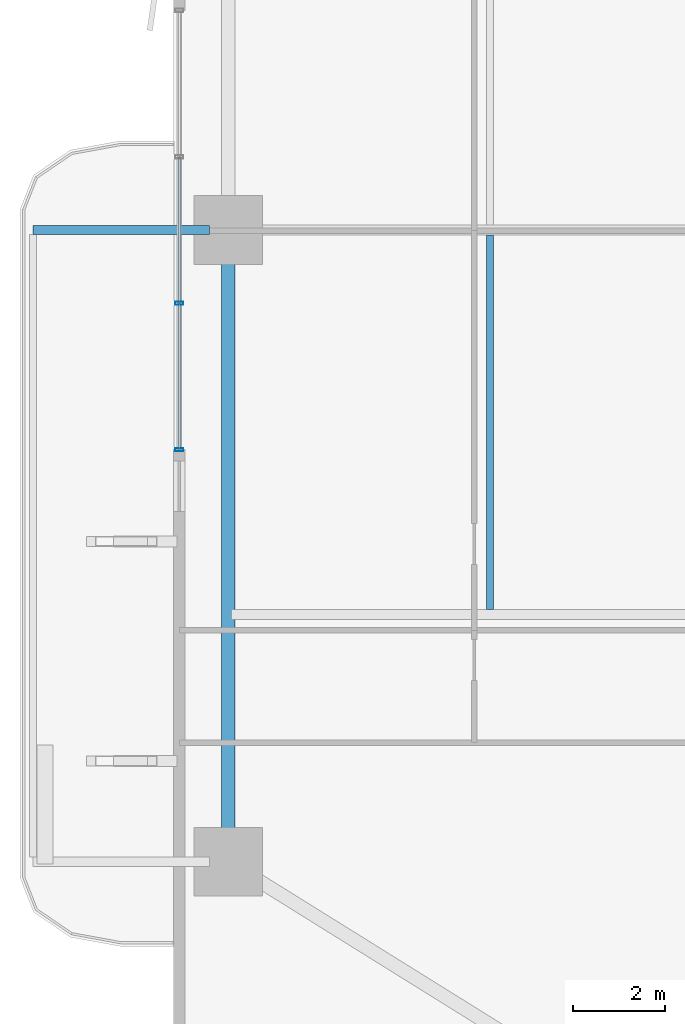
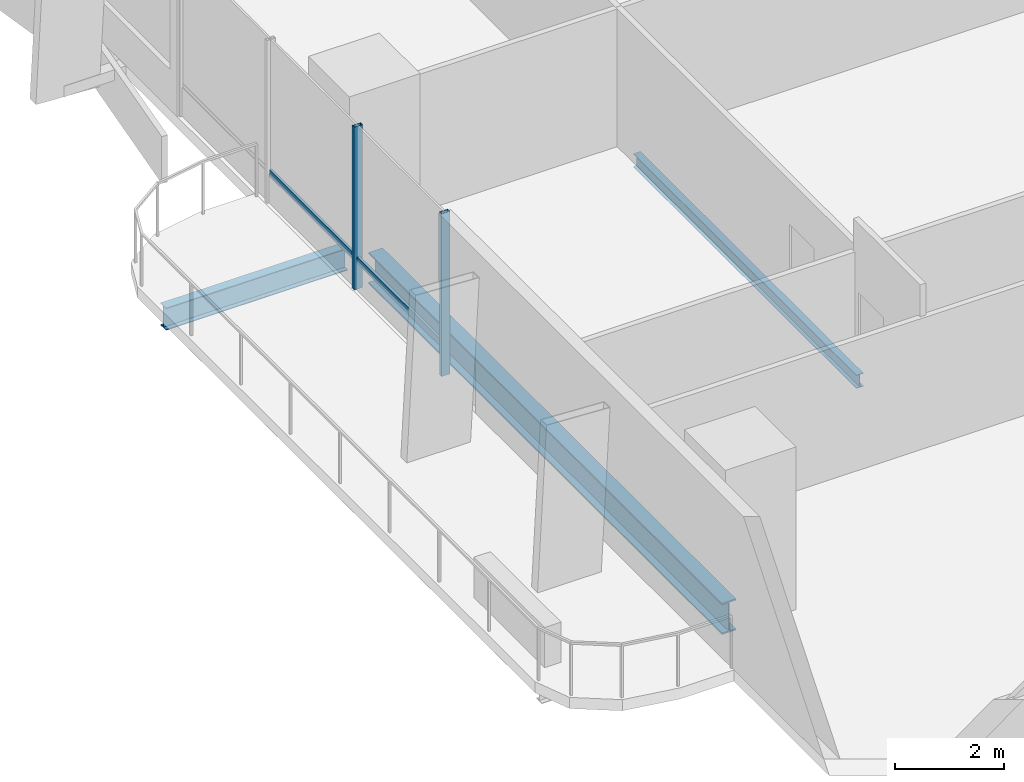
# One storey, part 4 of 24: 4 members, 3 beams, 1 element without a shape of its own.
"""IFC4 building model written with IfcOpenShell, lengths in metres."""

import ifcopenshell
import ifcopenshell.guid

model = None  # the IFC model being written
_history = None  # IfcOwnerHistory: only IFC2X3 demands one
_inside = {}  # id of a spatial element -> (the spatial element, [elements in it])
_under = {}  # id of a project, library or spatial element -> (it, [spatial elements below it])
_declared = {}  # id of a project -> (the project, [libraries it declares])
_typed = {}  # id of a type object -> (the type object, [elements of that type])
_made_of = {}  # id of a material, layer set ... -> (it, [elements and type objects made of it])


def new_model(schema):
    """Start an empty IFC model of exactly this schema.

    Asked for "IFC4X3", IfcOpenShell would pick the latest addendum, in which some entities
    have other attributes; the version numbers below select the first issue.
    IFC2X3 requires an IfcOwnerHistory on every rooted entity: one is made here for all.
    """
    global model, _history
    if schema == "IFC4X3":
        model = ifcopenshell.file(schema_version=(4, 3, 0, 0))
    else:
        model = ifcopenshell.file(schema=schema)
    _inside.clear()
    _under.clear()
    _declared.clear()
    _typed.clear()
    _made_of.clear()
    _history = None
    if model.schema == "IFC2X3":
        org = make("IfcOrganization", Name="unknown")
        user = make(
            "IfcPersonAndOrganization",
            ThePerson=make("IfcPerson", FamilyName="unknown"),
            TheOrganization=org,
        )
        app = make(
            "IfcApplication",
            ApplicationDeveloper=org,
            Version="unknown",
            ApplicationFullName="unknown",
            ApplicationIdentifier="unknown",
        )
        _history = make(
            "IfcOwnerHistory",
            OwningUser=user,
            OwningApplication=app,
            ChangeAction="ADDED",
            CreationDate=0,
        )
    return model


def make(cls, **values):
    """One entity of the class cls with the attributes given. An attribute that is None is left unset."""
    return model.create_entity(
        cls, **{name: value for name, value in values.items() if value is not None}
    )


def rooted(cls, **values):
    """An entity with a GlobalId (a new one), such as an element, a storey or a relation."""
    return make(cls, GlobalId=ifcopenshell.guid.new(), OwnerHistory=_history, **values)


def si_unit(unit_type, name, prefix=None):
    """IfcSIUnit, for example si_unit("LENGTHUNIT", "METRE", prefix="MILLI")."""
    return make("IfcSIUnit", UnitType=unit_type, Prefix=prefix, Name=name)


def assignment(units):
    """IfcUnitAssignment: the units of a project."""
    return None if units is None else make("IfcUnitAssignment", Units=units)


def point(xyz):
    """IfcCartesianPoint."""
    return None if xyz is None else make("IfcCartesianPoint", Coordinates=xyz)


def direction(xyz):
    """IfcDirection."""
    return None if xyz is None else make("IfcDirection", DirectionRatios=xyz)


def frame(location, z_axis=None, x_axis=None):
    """IfcAxis2Placement3D, a coordinate frame: its origin and axes. An axis left out is left unset."""
    return make(
        "IfcAxis2Placement3D",
        Location=point(location),
        Axis=direction(z_axis),
        RefDirection=direction(x_axis),
    )


def frame_2d(location, x_axis=None):
    """IfcAxis2Placement2D, a coordinate frame in the plane: its origin and x axis."""
    return make(
        "IfcAxis2Placement2D", Location=point(location), RefDirection=direction(x_axis)
    )


def origin():
    """The frame at (0, 0, 0) with its axes left unset."""
    return frame((0.0, 0.0, 0.0))


def origin_2d():
    """The frame at (0, 0) in the plane with its x axis left unset."""
    return frame_2d((0.0, 0.0))


def place(relative_to, where):
    """IfcLocalPlacement: puts the frame where relative to a parent placement (None: the world)."""
    return make(
        "IfcLocalPlacement", PlacementRelTo=relative_to, RelativePlacement=where
    )


def context(
    kind, dimensions, precision=None, world=None, true_north=None, identifier=None
):
    """IfcGeometricRepresentationContext, for example the 3D "Model" context."""
    return make(
        "IfcGeometricRepresentationContext",
        ContextIdentifier=identifier,
        ContextType=kind,
        CoordinateSpaceDimension=dimensions,
        Precision=precision,
        WorldCoordinateSystem=world,
        TrueNorth=true_north,
    )


def subcontext(parent, identifier, kind, view, scale=None):
    """IfcGeometricRepresentationSubContext, for example "Body" below "Model"."""
    return make(
        "IfcGeometricRepresentationSubContext",
        ContextIdentifier=identifier,
        ContextType=kind,
        ParentContext=parent,
        TargetScale=scale,
        TargetView=view,
    )


def project(units=None, contexts=None):
    """IfcProject with its units and contexts."""
    return rooted(
        "IfcProject",
        Name="project",
        RepresentationContexts=contexts,
        UnitsInContext=assignment(units),
    )


def spatial(cls, under=None, at=None, **own):
    """A site, building, storey or space (cls), placed at a placement, below another one or the project."""
    s = rooted(cls, ObjectPlacement=at, **own)
    if under is not None:
        _under.setdefault(under.id(), (under, []))[1].append(s)
    return s


def profile(cls, at=None, kind="AREA", **sizes):
    """A parametric profile (cls). Its sizes go by their IFC names, for example OverallWidth=200.0."""
    return make(cls, ProfileType=kind, Position=at, **sizes)


def hollow_rectangle(**sizes):
    """IfcRectangleHollowProfileDef."""
    return profile("IfcRectangleHollowProfileDef", **sizes)


def i_section(**sizes):
    """IfcIShapeProfileDef."""
    return profile("IfcIShapeProfileDef", **sizes)


def extrude(swept, where, along, depth):
    """IfcExtrudedAreaSolid: the profile swept, set in the frame where, extruded along a direction by depth."""
    return make(
        "IfcExtrudedAreaSolid",
        SweptArea=swept,
        Position=where,
        ExtrudedDirection=direction(along),
        Depth=depth,
    )


def shape(context_of_items, identifier, shape_type, items):
    """IfcShapeRepresentation: the items that make up one representation, for example the "Body"."""
    return make(
        "IfcShapeRepresentation",
        ContextOfItems=context_of_items,
        RepresentationIdentifier=identifier,
        RepresentationType=shape_type,
        Items=items,
    )


def material(Name=None, Category=None):
    """IfcMaterial."""
    return make("IfcMaterial", Name=Name, Category=Category)


def layer(
    of_material, thickness, ventilated=None, Name=None, Category=None, Priority=None
):
    """IfcMaterialLayer: one layer of a wall or slab, of a material (None: an air gap)."""
    return make(
        "IfcMaterialLayer",
        Material=of_material,
        LayerThickness=thickness,
        IsVentilated=ventilated,
        Name=Name,
        Category=Category,
        Priority=Priority,
    )


def layer_set(layers, Name=None):
    """IfcMaterialLayerSet."""
    return make("IfcMaterialLayerSet", MaterialLayers=layers, LayerSetName=Name)


def material_profile(
    of_material, cross_section, Name=None, Category=None, Priority=None
):
    """IfcMaterialProfile: a cross section and its material."""
    return make(
        "IfcMaterialProfile",
        Name=Name,
        Material=of_material,
        Profile=cross_section,
        Priority=Priority,
        Category=Category,
    )


def profile_set(profiles, Name=None, composite=None):
    """IfcMaterialProfileSet."""
    return make(
        "IfcMaterialProfileSet",
        Name=Name,
        MaterialProfiles=profiles,
        CompositeProfile=composite,
    )


def made_of(thing, what):
    """Note that an element or type object is made of a material, layer set ...; save() writes the relation."""
    if what is not None:
        _made_of.setdefault(what.id(), (what, []))[1].append(thing)
    return thing


def type_object(cls, material=None, **own):
    """A type object (cls), such as IfcWallType, which elements share."""
    return made_of(rooted(cls, **own), material)


def element(
    cls,
    number,
    at=None,
    inside=None,
    cuts=None,
    type_object=None,
    material=None,
    context=None,
    identifier="Body",
    shape_type=None,
    held_by="IfcProductDefinitionShape",
    body=None,
    shapes=None,
    **own,
):
    """One element of the class cls, such as IfcWall. Its Tag is "e" and its number.

    at: its placement. inside: the storey or other place that contains it. cuts: it is an
    opening in that element (IfcRelVoidsElement). A single representation is given by context,
    identifier, shape_type and body (its items); several are given by shapes. held_by: the class
    of the entity that holds the representations. save() writes the other relations.
    """
    e = rooted(cls, Tag="e%d" % number, ObjectPlacement=at, **own)
    if body is not None:
        shapes = [shape(context, identifier, shape_type, body)]
    if shapes is not None:
        e.Representation = make(held_by, Representations=shapes)
    if inside is not None:
        _inside.setdefault(inside.id(), (inside, []))[1].append(e)
    if cuts is not None:
        rooted(
            "IfcRelVoidsElement", RelatingBuildingElement=cuts, RelatedOpeningElement=e
        )
    if type_object is not None:
        _typed.setdefault(type_object.id(), (type_object, []))[1].append(e)
    return made_of(e, material)


def aggregate(whole, parts):
    """IfcRelAggregates: a whole, such as a stair, and the parts it consists of."""
    return rooted("IfcRelAggregates", RelatingObject=whole, RelatedObjects=parts)


def save(model, path):
    """Write the relations noted so far, then the file.

    IfcRelAggregates (storeys below a building ...), IfcRelContainedInSpatialStructure (elements
    in a storey), IfcRelDefinesByType, IfcRelAssociatesMaterial and IfcRelDeclares: one each for
    every whole, place, type object, material and project.
    """
    for whole, parts in _under.values():
        aggregate(whole, parts)
    for where, things in _inside.values():
        rooted(
            "IfcRelContainedInSpatialStructure",
            RelatedElements=things,
            RelatingStructure=where,
        )
    for kind, things in _typed.values():
        rooted("IfcRelDefinesByType", RelatedObjects=things, RelatingType=kind)
    for what, things in _made_of.values():
        rooted("IfcRelAssociatesMaterial", RelatedObjects=things, RelatingMaterial=what)
    for by, libraries in _declared.values():
        rooted("IfcRelDeclares", RelatingContext=by, RelatedDefinitions=libraries)
    model.write(path)


model = new_model("IFC4")

# Units and contexts
model_context = context("Model", 3, precision=1e-05, world=origin(), true_north=direction((0.0, 1.0)))
body_context = subcontext(model_context, "Body", "Model", "MODEL_VIEW")
ifc_project = project(units=[si_unit("LENGTHUNIT", "METRE"), si_unit("AREAUNIT", "SQUARE_METRE"), si_unit("VOLUMEUNIT", "CUBIC_METRE"), si_unit("PLANEANGLEUNIT", "RADIAN"), si_unit("MASSUNIT", "GRAM", prefix="KILO")], contexts=[model_context])

# Site, building, storey
site_placement = place(None, origin())
site = spatial("IfcSite", under=ifc_project, at=site_placement, CompositionType="ELEMENT")
building_placement = place(site_placement, origin())
building = spatial("IfcBuilding", under=site, at=building_placement, Name="Belovzor Exchange Tower", CompositionType="ELEMENT")
storey_placement = place(building_placement, frame((0.0, 0.0, 72.89990234375)))
storey = spatial("IfcBuildingStorey", under=building, at=storey_placement, Name="L17", CompositionType="ELEMENT", Elevation=72.89990234375)

# Beams
ifc_material_1 = material(Name="Steel S355", Category="steel")
ifc_material_profile_1 = material_profile(ifc_material_1, i_section(OverallWidth=0.199951171875, OverallDepth=0.5, WebThickness=0.01025390625, FlangeThickness=0.01611328125, at=origin_2d()))
ifc_profile_set_1 = profile_set([ifc_material_profile_1], Name="Steel S355")
beam_type_1 = type_object("IfcBeamType", Name="Planted Balcony Cantilever Beam IPE 500", PredefinedType="BEAM", material=ifc_profile_set_1)
beam_1_placement = place(storey_placement, frame((1.68798828125, 28.800048828125, -0.5), z_axis=(-1.0, 0.0, 0.0), x_axis=(0.0, -1.0, 0.0)))
element("IfcBeam", 1, at=beam_1_placement, inside=storey, type_object=beam_type_1, Name="BC-500 Planted Balcony Cantilever Beam IPE 500", PredefinedType="BEAM", context=body_context, shape_type="SweptSolid", body=[
    extrude(i_section(OverallWidth=0.199951171875, OverallDepth=0.5, WebThickness=0.01025390625, FlangeThickness=0.01611328125, at=origin_2d()), origin(), (0.0, 0.0, 1.0), 3.85009765625),
])
ifc_material_2 = material(Name="Steel S355", Category="steel")
ifc_material_profile_2 = material_profile(ifc_material_2, i_section(OverallWidth=0.14990234375, OverallDepth=0.300048828125, WebThickness=0.007080078125, FlangeThickness=0.0107421875, at=origin_2d()))
ifc_profile_set_2 = profile_set([ifc_material_profile_2], Name="Steel S355")
beam_type_2 = type_object("IfcBeamType", Name="Secondary Trim Floor Joist IPE 300", PredefinedType="BEAM", material=ifc_profile_set_2)
beam_2_placement = place(storey_placement, frame((7.81494140625, 20.5048828125, -0.39990234375), z_axis=(0.0, 1.0, 0.0), x_axis=(-1.0, 0.0, 0.0)))
element("IfcBeam", 2, at=beam_2_placement, inside=storey, type_object=beam_type_2, Name="FJ-300 Secondary Trim Floor Joist IPE 300", PredefinedType="BEAM", context=body_context, shape_type="SweptSolid", body=[
    extrude(i_section(OverallWidth=0.14990234375, OverallDepth=0.300048828125, WebThickness=0.007080078125, FlangeThickness=0.0107421875, at=origin_2d()), origin(), (0.0, 0.0, 1.0), 8.190185546875),
])

# Curtain wall, members
ifc_material_3 = material(Name="Anodised Aluminium Framing", Category="aluminium")
ifc_layer = layer(ifc_material_3, 0.179931640625)
ifc_layer_set = layer_set([ifc_layer], Name="Anodised Aluminium Framing")
curtain_wall_type = type_object("IfcCurtainWallType", Name="Recessed Loggia Low-Iron Triple-Glazed Curtain Wall", PredefinedType="NOTDEFINED", material=ifc_layer_set)
curtain_wall_placement = place(storey_placement, origin())
curtain_wall = element("IfcCurtainWall", 3, at=curtain_wall_placement, inside=storey, type_object=curtain_wall_type, Name="CW3 Recessed Loggia Low-Iron Triple-Glazed Curtain Wall L17", PredefinedType="NOTDEFINED")
ifc_material_4 = material(Name="Steel S355", Category="steel")
ifc_material_profile_3 = material_profile(ifc_material_4, hollow_rectangle(XDim=0.074951171875, YDim=0.179931640625, WallThickness=0.0048828125, at=origin_2d()))
ifc_profile_set_3 = profile_set([ifc_material_profile_3], Name="Steel S355")
member_type_1 = type_object("IfcMemberType", Name="Thermally Broken Curtain Wall Mullion 180x75", PredefinedType="MULLION", material=ifc_profile_set_3)
member_1_placement = place(storey_placement, frame((1.030029296875, 24.0, 0.0), z_axis=(0.0, 0.0, 1.0), x_axis=(0.0, 1.0, 0.0)))
member_1 = element("IfcMember", 4, at=member_1_placement, type_object=member_type_1, Name="CW-M180 Curtain Wall Mullion 1", PredefinedType="MULLION", context=body_context, shape_type="SweptSolid", body=[
    extrude(hollow_rectangle(XDim=0.074951171875, YDim=0.179931640625, WallThickness=0.0048828125, at=origin_2d()), origin(), (0.0, 0.0, 1.0), 3.650146484375),
])
member_2_placement = place(storey_placement, frame((1.030029296875, 27.199951171875, 0.0), z_axis=(0.0, 0.0, 1.0), x_axis=(0.0, 1.0, 0.0)))
member_2 = element("IfcMember", 5, at=member_2_placement, type_object=member_type_1, Name="CW-M180 Curtain Wall Mullion 2", PredefinedType="MULLION", context=body_context, shape_type="SweptSolid", body=[
    extrude(hollow_rectangle(XDim=0.074951171875, YDim=0.179931640625, WallThickness=0.0048828125, at=origin_2d()), origin(), (0.0, 0.0, 1.0), 3.650146484375),
])
ifc_material_5 = material(Name="Steel S355", Category="steel")
ifc_material_profile_4 = material_profile(ifc_material_5, hollow_rectangle(XDim=0.06005859375, YDim=0.14990234375, WallThickness=0.00390625, at=origin_2d()))
ifc_profile_set_4 = profile_set([ifc_material_profile_4], Name="Steel S355")
member_type_2 = type_object("IfcMemberType", Name="Thermally Broken Curtain Wall Transom 150x60", PredefinedType="USERDEFINED", material=ifc_profile_set_4)
member_3_placement = place(storey_placement, frame((1.030029296875, 24.008056640625, 0.650146484375), z_axis=(0.0, 1.0, 0.0), x_axis=(-1.0, 0.0, 0.0)))
member_3 = element("IfcMember", 6, at=member_3_placement, type_object=member_type_2, Name="CW-T150 Curtain Wall Transom 1", ObjectType="TRANSOM", PredefinedType="USERDEFINED", context=body_context, shape_type="SweptSolid", body=[
    extrude(hollow_rectangle(XDim=0.06005859375, YDim=0.14990234375, WallThickness=0.00390625, at=origin_2d()), origin(), (0.0, 0.0, 1.0), 3.183837890625),
])
member_4_placement = place(storey_placement, frame((1.030029296875, 27.2080078125, 0.650146484375), z_axis=(0.0, 1.0, 0.0), x_axis=(-1.0, 0.0, 0.0)))
member_4 = element("IfcMember", 7, at=member_4_placement, type_object=member_type_2, Name="CW-T150 Curtain Wall Transom 2", ObjectType="TRANSOM", PredefinedType="USERDEFINED", context=body_context, shape_type="SweptSolid", body=[
    extrude(hollow_rectangle(XDim=0.06005859375, YDim=0.14990234375, WallThickness=0.00390625, at=origin_2d()), origin(), (0.0, 0.0, 1.0), 3.18408203125),
])
aggregate(curtain_wall, [member_1, member_2, member_3, member_4])

# Beam
ifc_material_6 = material(Name="Steel S355", Category="steel")
ifc_material_profile_5 = material_profile(ifc_material_6, i_section(OverallWidth=0.300048828125, OverallDepth=0.699951171875, WebThickness=0.01708984375, FlangeThickness=0.031982421875, at=origin_2d()))
ifc_profile_set_5 = profile_set([ifc_material_profile_5], Name="Steel S355")
beam_type_3 = type_object("IfcBeamType", Name="Zone 1 Primary Perimeter Girder HEB 700", PredefinedType="BEAM", material=ifc_profile_set_5)
beam_3_placement = place(storey_placement, frame((2.10009765625, 28.386962890625, -0.599853515625), z_axis=(0.0, -1.0, 0.0), x_axis=(1.0, 0.0, 0.0)))
element("IfcBeam", 8, at=beam_3_placement, inside=storey, type_object=beam_type_3, Name="FG-Z1 Zone 1 Primary Perimeter Girder HEB 700", PredefinedType="BEAM", context=body_context, shape_type="SweptSolid", body=[
    extrude(i_section(OverallWidth=0.300048828125, OverallDepth=0.699951171875, WebThickness=0.01708984375, FlangeThickness=0.031982421875, at=origin_2d()), origin(), (0.0, 0.0, 1.0), 12.974853515625),
])

save(model, "model.ifc")
